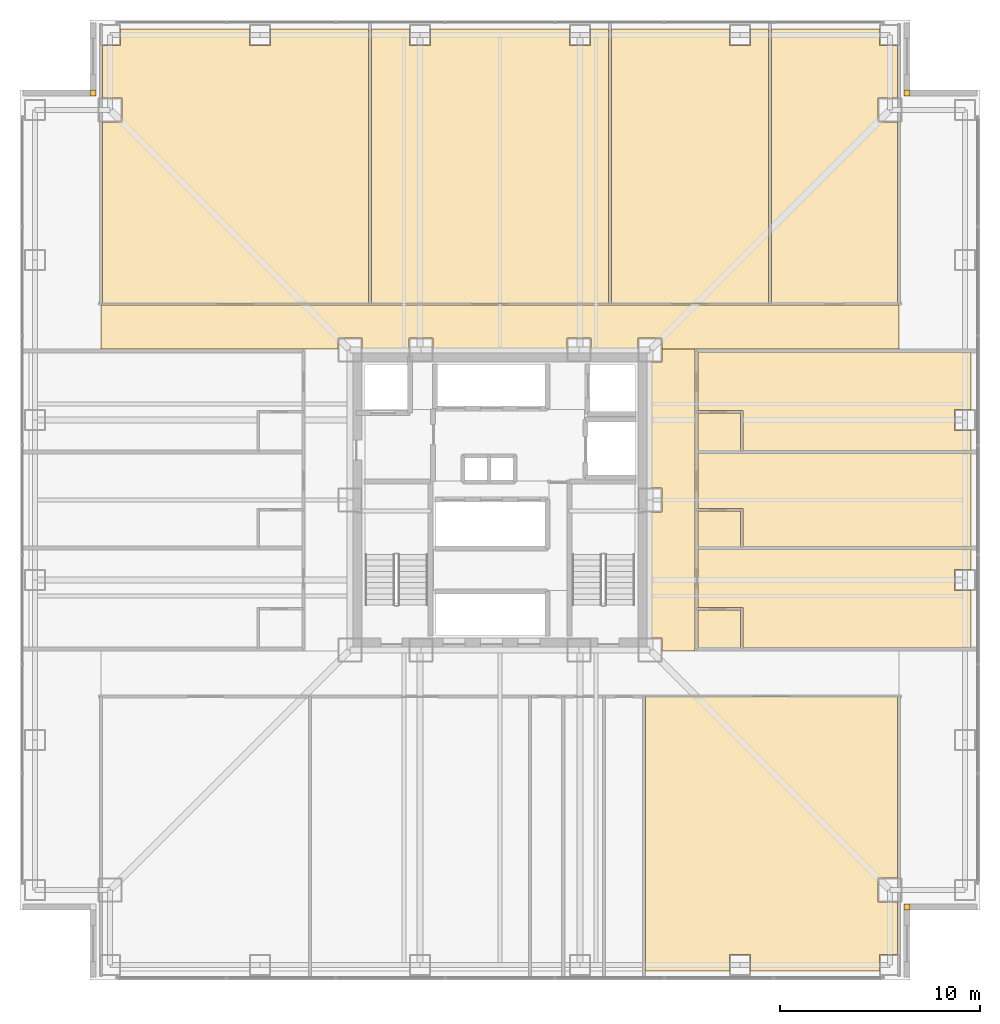
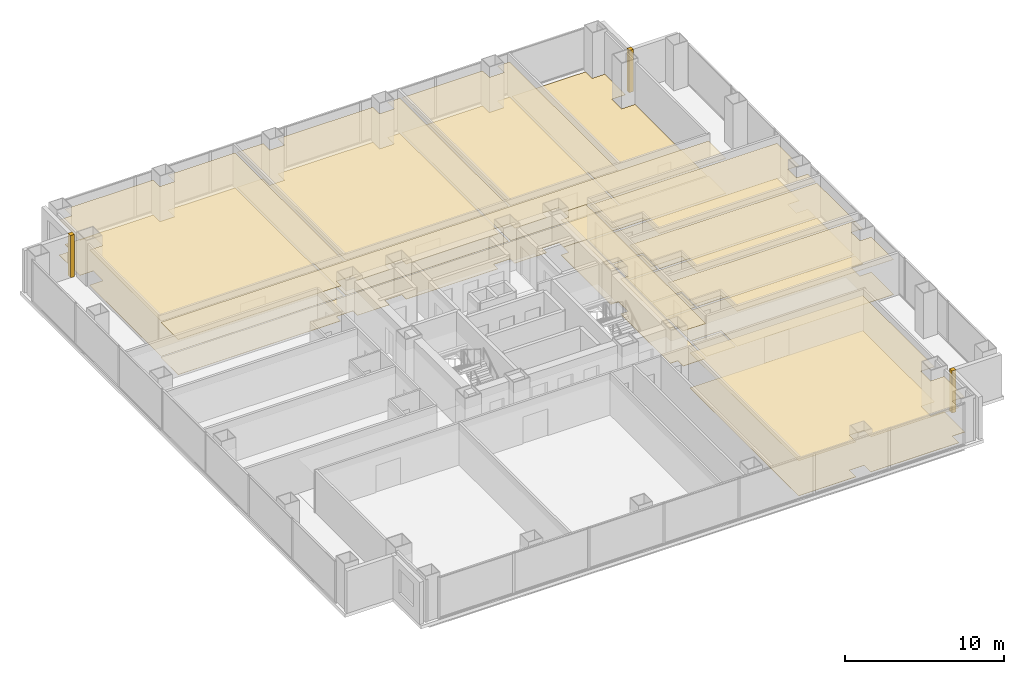
# One storey, part 16 of 16: 25 coverings.
"""IFC4 building model written with IfcOpenShell, lengths in metres."""

from ifc_helpers import new_model, si_unit, direction, frame, origin, place, context, subcontext, project, spatial, polyline, outline, extrude, material, layer, layer_set, type_object, element, save


model = new_model("IFC4")

# Units and contexts
model_context = context("Model", 3, precision=1e-05, world=origin(), true_north=direction((0.0, 1.0)))
body_context = subcontext(model_context, "Body", "Model", "MODEL_VIEW")
ifc_project = project(units=[si_unit("LENGTHUNIT", "METRE"), si_unit("AREAUNIT", "SQUARE_METRE"), si_unit("VOLUMEUNIT", "CUBIC_METRE"), si_unit("PLANEANGLEUNIT", "RADIAN"), si_unit("MASSUNIT", "GRAM", prefix="KILO")], contexts=[model_context])

# Site, building, storey
site_placement = place(None, origin())
site = spatial("IfcSite", under=ifc_project, at=site_placement, CompositionType="ELEMENT")
building_placement = place(site_placement, origin())
building = spatial("IfcBuilding", under=site, at=building_placement, Name="Trevonay Congress Spire", CompositionType="ELEMENT")
storey_placement = place(building_placement, frame((0.0, 0.0, 51.5)))
storey = spatial("IfcBuildingStorey", under=building, at=storey_placement, Name="L12", CompositionType="ELEMENT", Elevation=51.5)

# Coverings
ifc_material_1 = material(Name="Acoustic Mineral Fibre Board", Category="gypsum")
ifc_layer_1 = layer(ifc_material_1, 0.02490234375, Name="Acoustic Mineral Fibre Board")
ifc_layer_set_1 = layer_set([ifc_layer_1], Name="Acoustic Mineral Fibre Board")
covering_type_1 = type_object("IfcCoveringType", Name="COV-CEIL-ACOUSTIC", PredefinedType="CEILING", material=ifc_layer_set_1)
covering_1_placement = place(storey_placement, frame((0.0, 0.0, 2.699951171875)))
element("IfcCovering", 1, at=covering_1_placement, inside=storey, type_object=covering_type_1, Name="L12 Hotel Floor Corridor North acoustic suspended ceiling", PredefinedType="CEILING", context=body_context, shape_type="SweptSolid", body=[
    extrude(outline(polyline([(-19.949951171875, 7.550048828125), (-19.949951171875, 9.75), (19.949951171875, 9.75), (19.949951171875, 7.550048828125), (8.110107421875, 7.550048828125), (8.110107421875, 8.110107421875), (6.889892578125, 8.110107421875), (6.889892578125, 7.550048828125), (4.56005859375, 7.550048828125), (4.56005859375, 8.110107421875), (3.340087890625, 8.110107421875), (3.340087890625, 7.550048828125), (-3.340087890625, 7.550048828125), (-3.340087890625, 8.110107421875), (-4.56005859375, 8.110107421875), (-4.56005859375, 7.550048828125), (-6.889892578125, 7.550048828125), (-6.889892578125, 8.110107421875), (-8.110107421875, 8.110107421875), (-8.110107421875, 7.550048828125), (-19.949951171875, 7.550048828125)])), origin(), (0.0, 0.0, 1.0), 0.025146484375),
])
covering_2_placement = place(storey_placement, frame((0.0, 0.0, 2.699951171875)))
element("IfcCovering", 2, at=covering_2_placement, inside=storey, type_object=covering_type_1, Name="L12 Hotel Floor Corridor East acoustic suspended ceiling", PredefinedType="CEILING", context=body_context, shape_type="SweptSolid", body=[
    extrude(outline(polyline([(9.75, -7.550048828125), (8.110107421875, -7.550048828125), (8.110107421875, -6.889892578125), (7.550048828125, -6.889892578125), (7.550048828125, -0.610107421875), (8.110107421875, -0.610107421875), (8.110107421875, 0.610107421875), (7.550048828125, 0.610107421875), (7.550048828125, 6.889892578125), (8.110107421875, 6.889892578125), (8.110107421875, 7.550048828125), (9.75, 7.550048828125), (9.75, -7.550048828125)])), origin(), (0.0, 0.0, 1.0), 0.025146484375),
])
covering_3_placement = place(storey_placement, frame((0.0, 0.0, 2.699951171875)))
element("IfcCovering", 3, at=covering_3_placement, inside=storey, type_object=covering_type_1, Name="L12 Poolside Juice Bar acoustic suspended ceiling", PredefinedType="CEILING", context=body_context, shape_type="SweptSolid", body=[
    extrude(outline(polyline([(7.280029296875, -23.550048828125), (7.280029296875, -9.830078125), (19.8701171875, -9.830078125), (19.8701171875, -18.889892578125), (18.889892578125, -18.889892578125), (18.889892578125, -20.110107421875), (19.8701171875, -20.110107421875), (19.8701171875, -22.715087890625), (18.965087890625, -22.715087890625), (18.965087890625, -23.550048828125), (12.534912109375, -23.550048828125), (12.534912109375, -22.715087890625), (11.465087890625, -22.715087890625), (11.465087890625, -23.550048828125), (7.280029296875, -23.550048828125)])), origin(), (0.0, 0.0, 1.0), 0.025146484375),
])
covering_4_placement = place(storey_placement, frame((0.0, 0.0, 2.699951171875)))
element("IfcCovering", 4, at=covering_4_placement, inside=storey, type_object=covering_type_1, Name="L12 Hotel Wellness Fitness Gym acoustic suspended ceiling", PredefinedType="CEILING", context=body_context, shape_type="SweptSolid", body=[
    extrude(outline(polyline([(-6.580078125, 23.550048828125), (-6.580078125, 9.830078125), (-19.8701171875, 9.830078125), (-19.8701171875, 18.889892578125), (-18.889892578125, 18.889892578125), (-18.889892578125, 20.110107421875), (-19.8701171875, 20.110107421875), (-19.8701171875, 22.715087890625), (-18.965087890625, 22.715087890625), (-18.965087890625, 23.550048828125), (-12.534912109375, 23.550048828125), (-12.534912109375, 22.715087890625), (-11.465087890625, 22.715087890625), (-11.465087890625, 23.550048828125), (-6.580078125, 23.550048828125)])), origin(), (0.0, 0.0, 1.0), 0.025146484375),
])
covering_5_placement = place(storey_placement, frame((0.0, 0.0, 2.699951171875)))
element("IfcCovering", 5, at=covering_5_placement, inside=storey, type_object=covering_type_1, Name="L12 Garden Terrace Brasserie Dining acoustic suspended ceiling", PredefinedType="CEILING", context=body_context, shape_type="SweptSolid", body=[
    extrude(outline(polyline([(5.419921875, 23.550048828125), (5.419921875, 9.830078125), (-6.419921875, 9.830078125), (-6.419921875, 23.550048828125), (-4.534912109375, 23.550048828125), (-4.534912109375, 22.715087890625), (-3.465087890625, 22.715087890625), (-3.465087890625, 23.550048828125), (3.465087890625, 23.550048828125), (3.465087890625, 22.715087890625), (4.534912109375, 22.715087890625), (4.534912109375, 23.550048828125), (5.419921875, 23.550048828125)])), origin(), (0.0, 0.0, 1.0), 0.025146484375),
])
covering_6_placement = place(storey_placement, frame((0.0, 0.0, 2.699951171875)))
element("IfcCovering", 6, at=covering_6_placement, inside=storey, type_object=covering_type_1, Name="L12 Brasserie Show Kitchen acoustic suspended ceiling", PredefinedType="CEILING", context=body_context, shape_type="SweptSolid", body=[
    extrude(outline(polyline([(13.419921875, 23.550048828125), (13.419921875, 9.830078125), (5.580078125, 9.830078125), (5.580078125, 23.550048828125), (11.465087890625, 23.550048828125), (11.465087890625, 22.715087890625), (12.534912109375, 22.715087890625), (12.534912109375, 23.550048828125), (13.419921875, 23.550048828125)])), origin(), (0.0, 0.0, 1.0), 0.025146484375),
])
covering_7_placement = place(storey_placement, frame((0.0, 0.0, 2.699951171875)))
element("IfcCovering", 7, at=covering_7_placement, inside=storey, type_object=covering_type_1, Name="L12 Corner Hotel Suite acoustic suspended ceiling", PredefinedType="CEILING", context=body_context, shape_type="SweptSolid", body=[
    extrude(outline(polyline([(9.909912109375, -2.47998046875), (23.550048828125, -2.47998046875), (23.550048828125, -3.465087890625), (22.715087890625, -3.465087890625), (22.715087890625, -4.534912109375), (23.550048828125, -4.534912109375), (23.550048828125, -7.3701171875), (12.139892578125, -7.3701171875), (12.139892578125, -5.3720703125), (9.909912109375, -5.3720703125), (9.909912109375, -2.47998046875)])), origin(), (0.0, 0.0, 1.0), 0.025146484375),
])
covering_8_placement = place(storey_placement, frame((0.0, 0.0, 2.699951171875)))
element("IfcCovering", 8, at=covering_8_placement, inside=storey, type_object=covering_type_1, Name="L12 Corner Hotel Suite acoustic suspended ceiling", PredefinedType="CEILING", context=body_context, shape_type="SweptSolid", body=[
    extrude(outline(polyline([(9.909912109375, -0.4169921875), (9.909912109375, 2.320068359375), (23.550048828125, 2.320068359375), (23.550048828125, -2.320068359375), (12.139892578125, -2.320068359375), (12.139892578125, -0.4169921875), (9.909912109375, -0.4169921875)])), origin(), (0.0, 0.0, 1.0), 0.025146484375),
])
covering_9_placement = place(storey_placement, frame((0.0, 0.0, 2.699951171875)))
element("IfcCovering", 9, at=covering_9_placement, inside=storey, type_object=covering_type_1, Name="L12 Corner Hotel Suite acoustic suspended ceiling", PredefinedType="CEILING", context=body_context, shape_type="SweptSolid", body=[
    extrude(outline(polyline([(9.909912109375, 7.3701171875), (23.550048828125, 7.3701171875), (23.550048828125, 4.534912109375), (22.715087890625, 4.534912109375), (22.715087890625, 3.465087890625), (23.550048828125, 3.465087890625), (23.550048828125, 2.47998046875), (12.139892578125, 2.47998046875), (12.139892578125, 4.47802734375), (9.909912109375, 4.47802734375), (9.909912109375, 7.3701171875)])), origin(), (0.0, 0.0, 1.0), 0.025146484375),
])
ifc_material_2 = material(Name="Polished Granite Floor Tile", Category="masonry")
ifc_layer_2 = layer(ifc_material_2, 0.02001953125, Name="Polished Granite Floor Tile")
ifc_layer_set_2 = layer_set([ifc_layer_2], Name="Polished Granite Floor Tile")
covering_type_2 = type_object("IfcCoveringType", Name="COV-FLOOR-STONE", PredefinedType="FLOORING", material=ifc_layer_set_2)
covering_10_placement = place(storey_placement, origin())
element("IfcCovering", 10, at=covering_10_placement, inside=storey, type_object=covering_type_2, Name="L12 Hotel Floor Corridor North floor finish", PredefinedType="FLOORING", context=body_context, shape_type="SweptSolid", body=[
    extrude(outline(polyline([(-19.949951171875, 7.550048828125), (-19.949951171875, 9.75), (19.949951171875, 9.75), (19.949951171875, 7.550048828125), (8.110107421875, 7.550048828125), (8.110107421875, 8.110107421875), (6.889892578125, 8.110107421875), (6.889892578125, 7.550048828125), (4.56005859375, 7.550048828125), (4.56005859375, 8.110107421875), (3.340087890625, 8.110107421875), (3.340087890625, 7.550048828125), (-3.340087890625, 7.550048828125), (-3.340087890625, 8.110107421875), (-4.56005859375, 8.110107421875), (-4.56005859375, 7.550048828125), (-6.889892578125, 7.550048828125), (-6.889892578125, 8.110107421875), (-8.110107421875, 8.110107421875), (-8.110107421875, 7.550048828125), (-19.949951171875, 7.550048828125)])), origin(), (0.0, 0.0, 1.0), 0.02001953125),
])
covering_11_placement = place(storey_placement, origin())
element("IfcCovering", 11, at=covering_11_placement, inside=storey, type_object=covering_type_2, Name="L12 Hotel Floor Corridor East floor finish", PredefinedType="FLOORING", context=body_context, shape_type="SweptSolid", body=[
    extrude(outline(polyline([(9.75, -7.550048828125), (8.110107421875, -7.550048828125), (8.110107421875, -6.889892578125), (7.550048828125, -6.889892578125), (7.550048828125, -0.610107421875), (8.110107421875, -0.610107421875), (8.110107421875, 0.610107421875), (7.550048828125, 0.610107421875), (7.550048828125, 6.889892578125), (8.110107421875, 6.889892578125), (8.110107421875, 7.550048828125), (9.75, 7.550048828125), (9.75, -7.550048828125)])), origin(), (0.0, 0.0, 1.0), 0.02001953125),
])
covering_12_placement = place(storey_placement, origin())
element("IfcCovering", 12, at=covering_12_placement, inside=storey, type_object=covering_type_2, Name="L12 Poolside Juice Bar floor finish", PredefinedType="FLOORING", context=body_context, shape_type="SweptSolid", body=[
    extrude(outline(polyline([(7.280029296875, -23.550048828125), (7.280029296875, -9.830078125), (19.8701171875, -9.830078125), (19.8701171875, -18.889892578125), (18.889892578125, -18.889892578125), (18.889892578125, -20.110107421875), (19.8701171875, -20.110107421875), (19.8701171875, -22.715087890625), (18.965087890625, -22.715087890625), (18.965087890625, -23.550048828125), (12.534912109375, -23.550048828125), (12.534912109375, -22.715087890625), (11.465087890625, -22.715087890625), (11.465087890625, -23.550048828125), (7.280029296875, -23.550048828125)])), origin(), (0.0, 0.0, 1.0), 0.02001953125),
])
covering_13_placement = place(storey_placement, origin())
element("IfcCovering", 13, at=covering_13_placement, inside=storey, type_object=covering_type_2, Name="L12 Garden Terrace Brasserie Dining floor finish", PredefinedType="FLOORING", context=body_context, shape_type="SweptSolid", body=[
    extrude(outline(polyline([(5.419921875, 23.550048828125), (5.419921875, 9.830078125), (-6.419921875, 9.830078125), (-6.419921875, 23.550048828125), (-4.534912109375, 23.550048828125), (-4.534912109375, 22.715087890625), (-3.465087890625, 22.715087890625), (-3.465087890625, 23.550048828125), (3.465087890625, 23.550048828125), (3.465087890625, 22.715087890625), (4.534912109375, 22.715087890625), (4.534912109375, 23.550048828125), (5.419921875, 23.550048828125)])), origin(), (0.0, 0.0, 1.0), 0.02001953125),
])
covering_14_placement = place(storey_placement, origin())
element("IfcCovering", 14, at=covering_14_placement, inside=storey, type_object=covering_type_2, Name="L12 Brasserie Show Kitchen floor finish", PredefinedType="FLOORING", context=body_context, shape_type="SweptSolid", body=[
    extrude(outline(polyline([(13.419921875, 23.550048828125), (13.419921875, 9.830078125), (5.580078125, 9.830078125), (5.580078125, 23.550048828125), (11.465087890625, 23.550048828125), (11.465087890625, 22.715087890625), (12.534912109375, 22.715087890625), (12.534912109375, 23.550048828125), (13.419921875, 23.550048828125)])), origin(), (0.0, 0.0, 1.0), 0.02001953125),
])
covering_15_placement = place(storey_placement, origin())
element("IfcCovering", 15, at=covering_15_placement, inside=storey, type_object=covering_type_2, Name="L12 Housekeeping and Linen Room floor finish", PredefinedType="FLOORING", context=body_context, shape_type="SweptSolid", body=[
    extrude(outline(polyline([(19.8701171875, 9.830078125), (13.580078125, 9.830078125), (13.580078125, 23.550048828125), (18.965087890625, 23.550048828125), (18.965087890625, 22.715087890625), (19.8701171875, 22.715087890625), (19.8701171875, 20.110107421875), (18.889892578125, 20.110107421875), (18.889892578125, 18.889892578125), (19.8701171875, 18.889892578125), (19.8701171875, 9.830078125)])), origin(), (0.0, 0.0, 1.0), 0.02001953125),
])
covering_16_placement = place(storey_placement, origin())
element("IfcCovering", 16, at=covering_16_placement, inside=storey, type_object=covering_type_2, Name="L12 En-suite Bathroom floor finish", PredefinedType="FLOORING", context=body_context, shape_type="SweptSolid", body=[
    extrude(outline(polyline([(9.909912109375, -7.3701171875), (12.02001953125, -7.3701171875), (12.02001953125, -5.511962890625), (9.909912109375, -5.511962890625), (9.909912109375, -7.3701171875)])), origin(), (0.0, 0.0, 1.0), 0.02001953125),
])
covering_17_placement = place(storey_placement, origin())
element("IfcCovering", 17, at=covering_17_placement, inside=storey, type_object=covering_type_2, Name="L12 En-suite Bathroom floor finish", PredefinedType="FLOORING", context=body_context, shape_type="SweptSolid", body=[
    extrude(outline(polyline([(9.909912109375, -2.320068359375), (12.02001953125, -2.320068359375), (12.02001953125, -0.556884765625), (9.909912109375, -0.556884765625), (9.909912109375, -2.320068359375)])), origin(), (0.0, 0.0, 1.0), 0.02001953125),
])
covering_18_placement = place(storey_placement, origin())
element("IfcCovering", 18, at=covering_18_placement, inside=storey, type_object=covering_type_2, Name="L12 En-suite Bathroom floor finish", PredefinedType="FLOORING", context=body_context, shape_type="SweptSolid", body=[
    extrude(outline(polyline([(9.909912109375, 2.47998046875), (12.02001953125, 2.47998046875), (12.02001953125, 4.337890625), (9.909912109375, 4.337890625), (9.909912109375, 2.47998046875)])), origin(), (0.0, 0.0, 1.0), 0.02001953125),
])
ifc_material_3 = material(Name="Engineered Oak Flooring", Category="wood")
ifc_layer_3 = layer(ifc_material_3, 0.01806640625, Name="Engineered Oak Flooring")
ifc_layer_set_3 = layer_set([ifc_layer_3], Name="Engineered Oak Flooring")
covering_type_3 = type_object("IfcCoveringType", Name="COV-FLOOR-TIMBER", PredefinedType="FLOORING", material=ifc_layer_set_3)
covering_19_placement = place(storey_placement, origin())
element("IfcCovering", 19, at=covering_19_placement, inside=storey, type_object=covering_type_3, Name="L12 Hotel Wellness Fitness Gym floor finish", PredefinedType="FLOORING", context=body_context, shape_type="SweptSolid", body=[
    extrude(outline(polyline([(-6.580078125, 23.550048828125), (-6.580078125, 9.830078125), (-19.8701171875, 9.830078125), (-19.8701171875, 18.889892578125), (-18.889892578125, 18.889892578125), (-18.889892578125, 20.110107421875), (-19.8701171875, 20.110107421875), (-19.8701171875, 22.715087890625), (-18.965087890625, 22.715087890625), (-18.965087890625, 23.550048828125), (-12.534912109375, 23.550048828125), (-12.534912109375, 22.715087890625), (-11.465087890625, 22.715087890625), (-11.465087890625, 23.550048828125), (-6.580078125, 23.550048828125)])), origin(), (0.0, 0.0, 1.0), 0.01806640625),
])
covering_20_placement = place(storey_placement, origin())
element("IfcCovering", 20, at=covering_20_placement, inside=storey, type_object=covering_type_3, Name="L12 Corner Hotel Suite floor finish", PredefinedType="FLOORING", context=body_context, shape_type="SweptSolid", body=[
    extrude(outline(polyline([(9.909912109375, -2.47998046875), (23.550048828125, -2.47998046875), (23.550048828125, -3.465087890625), (22.715087890625, -3.465087890625), (22.715087890625, -4.534912109375), (23.550048828125, -4.534912109375), (23.550048828125, -7.3701171875), (12.139892578125, -7.3701171875), (12.139892578125, -5.3720703125), (9.909912109375, -5.3720703125), (9.909912109375, -2.47998046875)])), origin(), (0.0, 0.0, 1.0), 0.01806640625),
])
covering_21_placement = place(storey_placement, origin())
element("IfcCovering", 21, at=covering_21_placement, inside=storey, type_object=covering_type_3, Name="L12 Corner Hotel Suite floor finish", PredefinedType="FLOORING", context=body_context, shape_type="SweptSolid", body=[
    extrude(outline(polyline([(9.909912109375, -0.4169921875), (9.909912109375, 2.320068359375), (23.550048828125, 2.320068359375), (23.550048828125, -2.320068359375), (12.139892578125, -2.320068359375), (12.139892578125, -0.4169921875), (9.909912109375, -0.4169921875)])), origin(), (0.0, 0.0, 1.0), 0.01806640625),
])
covering_22_placement = place(storey_placement, origin())
element("IfcCovering", 22, at=covering_22_placement, inside=storey, type_object=covering_type_3, Name="L12 Corner Hotel Suite floor finish", PredefinedType="FLOORING", context=body_context, shape_type="SweptSolid", body=[
    extrude(outline(polyline([(9.909912109375, 7.3701171875), (23.550048828125, 7.3701171875), (23.550048828125, 4.534912109375), (22.715087890625, 4.534912109375), (22.715087890625, 3.465087890625), (23.550048828125, 3.465087890625), (23.550048828125, 2.47998046875), (12.139892578125, 2.47998046875), (12.139892578125, 4.47802734375), (9.909912109375, 4.47802734375), (9.909912109375, 7.3701171875)])), origin(), (0.0, 0.0, 1.0), 0.01806640625),
])
ifc_material_4 = material(Name="Pale Anodised Aluminium EN AW-6063-T6", Category="aluminium")
ifc_layer_4 = layer(ifc_material_4, 0.0400390625, Name="Pale Anodised Aluminium EN AW-6063-T6")
ifc_layer_set_4 = layer_set([ifc_layer_4], Name="Pale Anodised Aluminium EN AW-6063-T6")
covering_type_4 = type_object("IfcCoveringType", Name="COV-SPANDREL-PALE-METAL", PredefinedType="CLADDING", material=ifc_layer_set_4)
covering_23_placement = place(storey_placement, origin())
element("IfcCovering", 23, at=covering_23_placement, inside=storey, type_object=covering_type_4, Name="L12 SE re-entrant notch corner closure trim", PredefinedType="CLADDING", context=body_context, shape_type="SweptSolid", body=[
    extrude(outline(polyline([(20.199951171875, -20.5), (20.5, -20.5), (20.5, -20.199951171875), (20.199951171875, -20.199951171875), (20.199951171875, -20.5)])), origin(), (0.0, 0.0, 1.0), 3.25),
])
covering_24_placement = place(storey_placement, origin())
element("IfcCovering", 24, at=covering_24_placement, inside=storey, type_object=covering_type_4, Name="L12 NE re-entrant notch corner closure trim", PredefinedType="CLADDING", context=body_context, shape_type="SweptSolid", body=[
    extrude(outline(polyline([(20.199951171875, 20.199951171875), (20.5, 20.199951171875), (20.5, 20.5), (20.199951171875, 20.5), (20.199951171875, 20.199951171875)])), origin(), (0.0, 0.0, 1.0), 3.25),
])
covering_25_placement = place(storey_placement, origin())
element("IfcCovering", 25, at=covering_25_placement, inside=storey, type_object=covering_type_4, Name="L12 NW re-entrant notch corner closure trim", PredefinedType="CLADDING", context=body_context, shape_type="SweptSolid", body=[
    extrude(outline(polyline([(-20.5, 20.199951171875), (-20.199951171875, 20.199951171875), (-20.199951171875, 20.5), (-20.5, 20.5), (-20.5, 20.199951171875)])), origin(), (0.0, 0.0, 1.0), 3.25),
])

save(model, "model.ifc")
